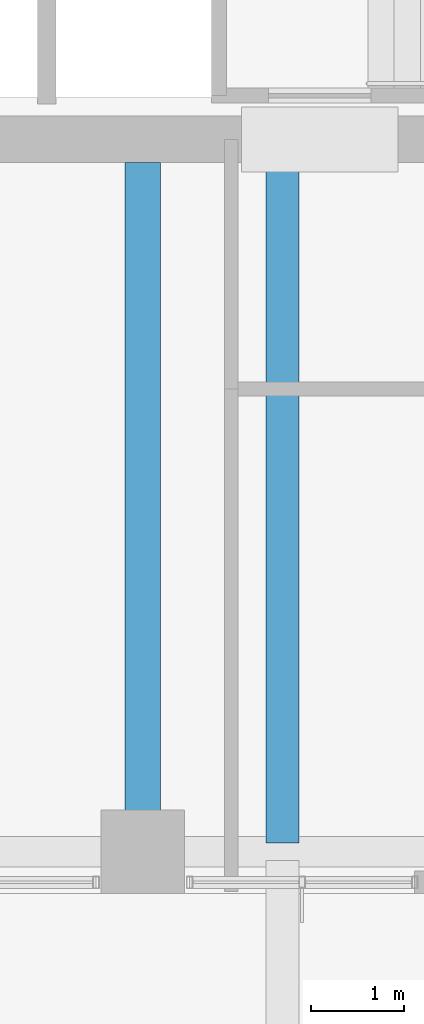
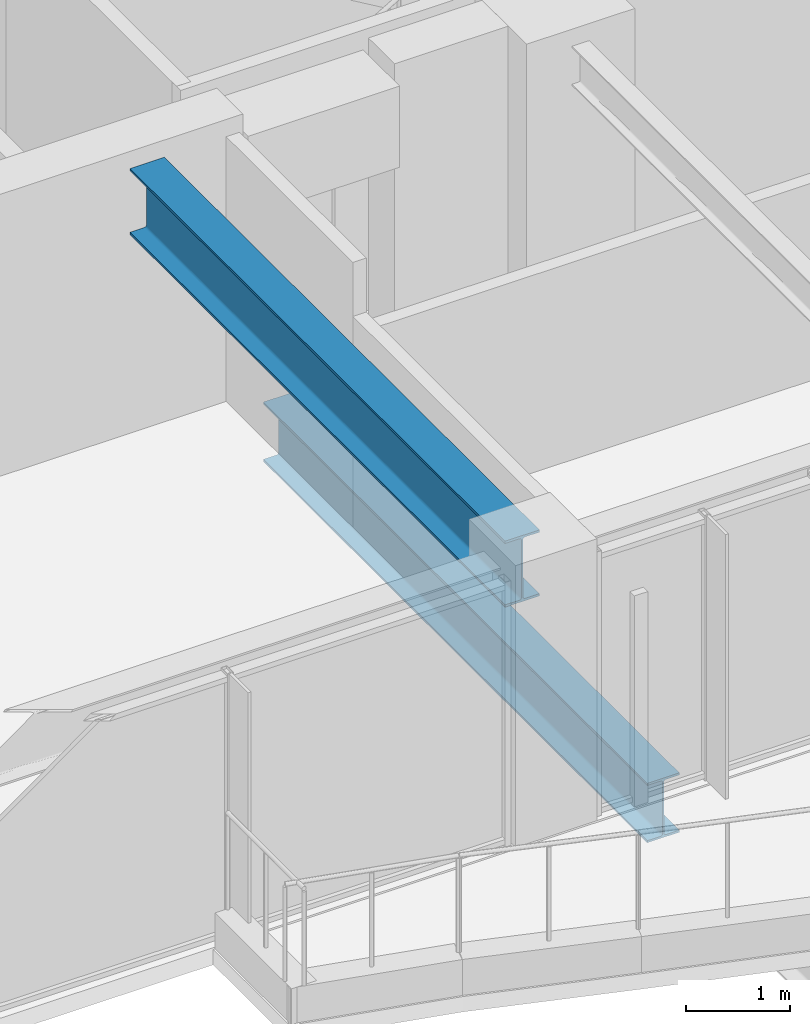
# One storey, part 4 of 31: 2 beams.
"""IFC4 building model written with IfcOpenShell, lengths in metres."""

from ifc_helpers import new_model, si_unit, direction, frame, origin, origin_2d, place, context, subcontext, project, spatial, i_section, extrude, material, material_profile, profile_set, type_object, element, save


model = new_model("IFC4")

# Units and contexts
model_context = context("Model", 3, precision=1e-05, world=origin(), true_north=direction((0.0, 1.0)))
body_context = subcontext(model_context, "Body", "Model", "MODEL_VIEW")
ifc_project = project(units=[si_unit("LENGTHUNIT", "METRE"), si_unit("AREAUNIT", "SQUARE_METRE"), si_unit("VOLUMEUNIT", "CUBIC_METRE"), si_unit("PLANEANGLEUNIT", "RADIAN"), si_unit("MASSUNIT", "GRAM", prefix="KILO")], contexts=[model_context])

# Site, building, storey
site_placement = place(None, origin())
site = spatial("IfcSite", under=ifc_project, at=site_placement, CompositionType="ELEMENT")
building_placement = place(site_placement, origin())
building = spatial("IfcBuilding", under=site, at=building_placement, Name="Kolvaren Belvedere", CompositionType="ELEMENT")
storey_placement = place(building_placement, frame((0.0, 0.0, 134.89990234375)))
storey = spatial("IfcBuildingStorey", under=building, at=storey_placement, Name="L39", CompositionType="ELEMENT", Elevation=134.89990234375)

# Beams
ifc_material_1 = material(Name="Structural steel ASTM A992 Grade 50", Category="steel")
ifc_material_profile_1 = material_profile(ifc_material_1, i_section(OverallWidth=0.35498046875, OverallDepth=0.696044921875, WebThickness=0.015380859375, FlangeThickness=0.02490234375, FilletRadius=0.02197265625, at=origin_2d()), Name="W27X146")
ifc_profile_set_1 = profile_set([ifc_material_profile_1], Name="Structural steel ASTM A992 Grade 50")
beam_type_1 = type_object("IfcBeamType", Name="BM-GIRD-W27X146", PredefinedType="BEAM", material=ifc_profile_set_1)
beam_1_placement = place(storey_placement, frame((-3.10009765625, -10.090087890625, -0.5478515625), z_axis=(0.0, -1.0, 0.0), x_axis=(1.0, 0.0, 0.0)))
element("IfcBeam", 1, at=beam_1_placement, inside=storey, type_object=beam_type_1, Name="L39 Balcony Interior Back-Span Girder BAL-S-1", PredefinedType="BEAM", context=body_context, shape_type="SweptSolid", body=[
    extrude(i_section(OverallWidth=0.35498046875, OverallDepth=0.696044921875, WebThickness=0.015380859375, FlangeThickness=0.02490234375, FilletRadius=0.02197265625, at=origin_2d()), origin(), (0.0, 0.0, 1.0), 7.364990234375),
])
ifc_material_2 = material(Name="Structural steel ASTM A992 Grade 50", Category="steel")
ifc_material_profile_2 = material_profile(ifc_material_2, i_section(OverallWidth=0.381103515625, OverallDepth=0.77294921875, WebThickness=0.0166015625, FlangeThickness=0.027099609375, FilletRadius=0.02392578125, at=origin_2d()), Name="W30X173")
ifc_profile_set_2 = profile_set([ifc_material_profile_2], Name="Structural steel ASTM A992 Grade 50")
beam_type_2 = type_object("IfcBeamType", Name="BM-GIRD-W30X173", PredefinedType="BEAM", material=ifc_profile_set_2)
beam_2_placement = place(storey_placement, frame((-4.60009765625, -10.14990234375, 2.713623046875), z_axis=(0.0, -1.0, 0.0), x_axis=(1.0, 0.0, 0.0)))
element("IfcBeam", 2, at=beam_2_placement, inside=storey, type_object=beam_type_2, Name="L39 South Radial Girder M", PredefinedType="BEAM", context=body_context, shape_type="SweptSolid", body=[
    extrude(i_section(OverallWidth=0.381103515625, OverallDepth=0.77294921875, WebThickness=0.0166015625, FlangeThickness=0.027099609375, FilletRadius=0.02392578125, at=origin_2d()), origin(), (0.0, 0.0, 1.0), 7.197509765625),
])

save(model, "model.ifc")
